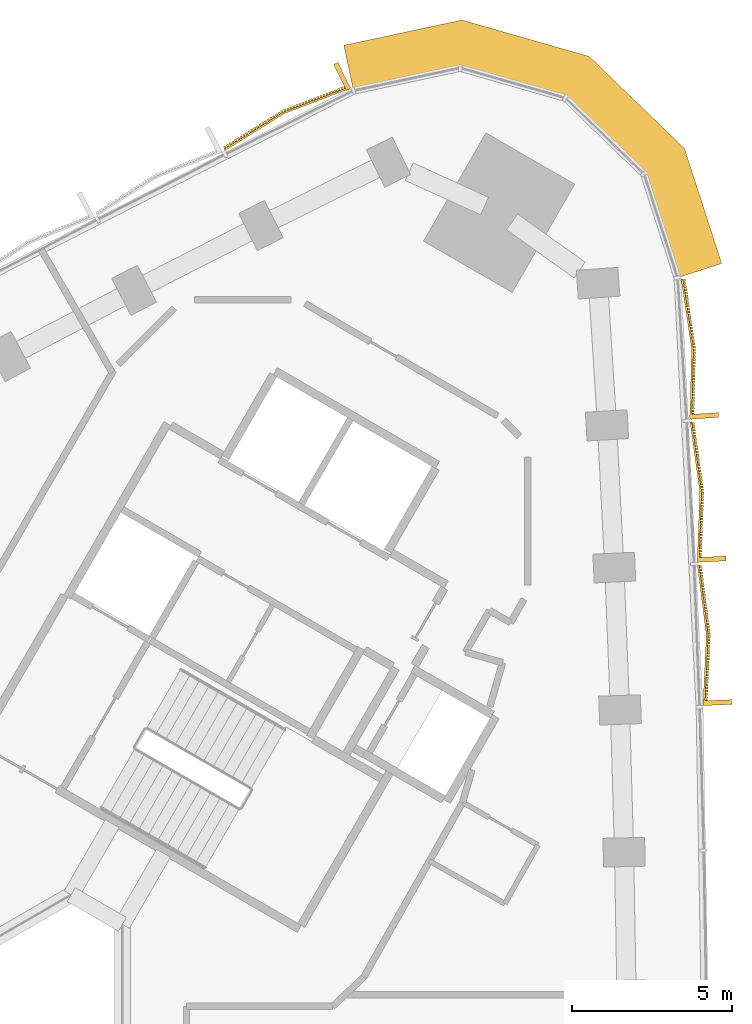
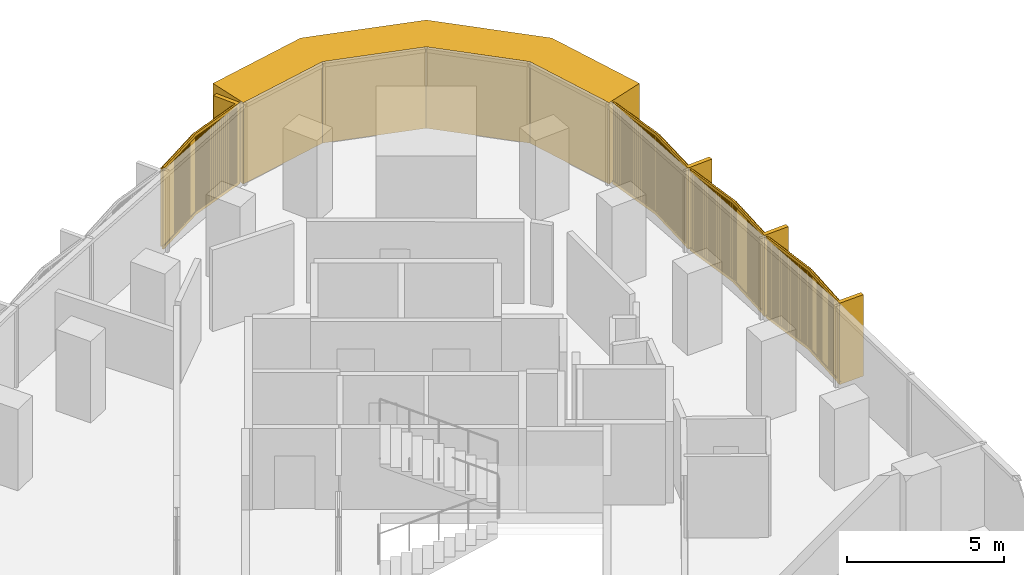
# One storey, part 15 of 15: 5 coverings.
"""IFC4 building model written with IfcOpenShell, lengths in metres."""

from ifc_helpers import new_model, si_unit, direction, frame, frame_2d, origin, place, context, subcontext, project, spatial, polyline, rectangle, outline, extrude, source, transform, mapped, material, layer, layer_set, type_object, element, save


model = new_model("IFC4")

# Units and contexts
model_context = context("Model", 3, precision=1e-05, world=origin(), true_north=direction((0.0, 1.0)))
body_context = subcontext(model_context, "Body", "Model", "MODEL_VIEW")
ifc_project = project(units=[si_unit("LENGTHUNIT", "METRE"), si_unit("AREAUNIT", "SQUARE_METRE"), si_unit("VOLUMEUNIT", "CUBIC_METRE"), si_unit("PLANEANGLEUNIT", "RADIAN"), si_unit("MASSUNIT", "GRAM", prefix="KILO")], contexts=[model_context])

# Site, building, storey
site_placement = place(None, origin())
site = spatial("IfcSite", under=ifc_project, at=site_placement, CompositionType="ELEMENT")
building_placement = place(site_placement, origin())
building = spatial("IfcBuilding", under=site, at=building_placement, Name="Tamra Quay Hotel Tower", CompositionType="ELEMENT")
storey_placement = place(building_placement, frame((0.0, 0.0, 108.199951171875)))
storey = spatial("IfcBuildingStorey", under=building, at=storey_placement, Name="L26", CompositionType="ELEMENT", Elevation=108.199951171875)

# Coverings
ifc_material_1 = material(Name="Precast concrete M60 terracotta-coloured", Category="masonry")
ifc_layer = layer(ifc_material_1, 1.449951171875)
ifc_layer_set = layer_set([ifc_layer], Name="CORNER PIER PANEL")
covering_type_1 = type_object("IfcCoveringType", Name="CORNER PIER PANEL", PredefinedType="CLADDING", material=ifc_layer_set)
covering_1_placement = place(storey_placement, origin())
element("IfcCovering", 1, at=covering_1_placement, inside=storey, type_object=covering_type_1, Name="Corner pier L26.east", PredefinedType="CLADDING", context=body_context, shape_type="SweptSolid", body=[
    extrude(outline(polyline([(22.226318359375, 26.81787109375), (23.60595703125, 27.26416015625), (22.44482421875, 30.853271484375), (19.471923828125, 33.7265625), (15.497314453125, 34.864501953125), (11.808349609375, 34.075439453125), (12.11181640625, 32.657470703125), (15.4462890625, 33.370849609375), (18.724609375, 32.43212890625), (21.1767578125, 30.062255859375), (22.226318359375, 26.81787109375)])), origin(), (0.0, 0.0, 1.0), 3.175048828125),
])
ifc_material_2 = material(Name="Terracotta baguette extruded", Category="masonry")
covering_type_2 = type_object("IfcCoveringType", Name="BAGUETTE SCREEN E-V H3175", PredefinedType="USERDEFINED", material=ifc_material_2)
shared_shape_1 = source(origin(), body_context, "Body", "SweptSolid", [
    extrude(rectangle(XDim=2.200927734375, YDim=0.06005859375, at=frame_2d((1.1005859375, 0.030029296875))), frame((-2.19775390625, -0.057861328125, -0.1201171875), z_axis=(0.0, 0.0, 1.0), x_axis=(0.996194698092, -0.087155742748, 0.0)), (0.0, 0.0, 1.0), 0.1201171875),
    extrude(rectangle(XDim=2.200927734375, YDim=0.06005859375, at=frame_2d((1.1005859375, 0.030029296875))), frame((-2.19775390625, -0.057861328125, -3.175048828125), z_axis=(0.0, 0.0, 1.0), x_axis=(0.996194698092, -0.087155742748, 0.0)), (0.0, 0.0, 1.0), 0.1201171875),
    extrude(rectangle(XDim=0.070068359375, YDim=0.10009765625, at=frame_2d((0.03515625, 0.050048828125))), frame((-2.177734375, -0.13232421875, -3.114990234375)), (0.0, 0.0, 1.0), 3.054931640625),
    extrude(rectangle(XDim=0.070068359375, YDim=0.10009765625, at=frame_2d((0.03515625, 0.050048828125))), frame((-2.078125, -0.14111328125, -3.114990234375)), (0.0, 0.0, 1.0), 3.054931640625),
    extrude(rectangle(XDim=0.070068359375, YDim=0.10009765625, at=frame_2d((0.03515625, 0.050048828125))), frame((-1.978271484375, -0.14990234375, -3.114990234375)), (0.0, 0.0, 1.0), 3.054931640625),
    extrude(rectangle(XDim=0.070068359375, YDim=0.10009765625, at=frame_2d((0.03515625, 0.050048828125))), frame((-1.878662109375, -0.158447265625, -3.114990234375)), (0.0, 0.0, 1.0), 3.054931640625),
    extrude(rectangle(XDim=0.070068359375, YDim=0.10009765625, at=frame_2d((0.03515625, 0.050048828125))), frame((-1.779052734375, -0.167236328125, -3.114990234375)), (0.0, 0.0, 1.0), 3.054931640625),
    extrude(rectangle(XDim=0.070068359375, YDim=0.10009765625, at=frame_2d((0.03515625, 0.050048828125))), frame((-1.679443359375, -0.176025390625, -3.114990234375)), (0.0, 0.0, 1.0), 3.054931640625),
    extrude(rectangle(XDim=0.070068359375, YDim=0.10009765625, at=frame_2d((0.03515625, 0.050048828125))), frame((-1.579833984375, -0.1845703125, -3.114990234375)), (0.0, 0.0, 1.0), 3.054931640625),
    extrude(rectangle(XDim=0.070068359375, YDim=0.10009765625, at=frame_2d((0.03515625, 0.050048828125))), frame((-1.47998046875, -0.193359375, -3.114990234375)), (0.0, 0.0, 1.0), 3.054931640625),
    extrude(rectangle(XDim=0.070068359375, YDim=0.10009765625, at=frame_2d((0.03515625, 0.050048828125))), frame((-1.38037109375, -0.2021484375, -3.114990234375)), (0.0, 0.0, 1.0), 3.054931640625),
    extrude(rectangle(XDim=0.070068359375, YDim=0.10009765625, at=frame_2d((0.03515625, 0.050048828125))), frame((-1.28076171875, -0.2109375, -3.114990234375)), (0.0, 0.0, 1.0), 3.054931640625),
    extrude(rectangle(XDim=0.070068359375, YDim=0.10009765625, at=frame_2d((0.03515625, 0.050048828125))), frame((-1.18115234375, -0.219482421875, -3.114990234375)), (0.0, 0.0, 1.0), 3.054931640625),
    extrude(rectangle(XDim=0.070068359375, YDim=0.10009765625, at=frame_2d((0.03515625, 0.050048828125))), frame((-1.081298828125, -0.228271484375, -3.114990234375)), (0.0, 0.0, 1.0), 3.054931640625),
    extrude(rectangle(XDim=0.070068359375, YDim=0.10009765625, at=frame_2d((0.03515625, 0.050048828125))), frame((-0.981689453125, -0.237060546875, -3.114990234375)), (0.0, 0.0, 1.0), 3.054931640625),
    extrude(rectangle(XDim=0.070068359375, YDim=0.10009765625, at=frame_2d((0.03515625, 0.050048828125))), frame((-0.882080078125, -0.24560546875, -3.114990234375)), (0.0, 0.0, 1.0), 3.054931640625),
    extrude(rectangle(XDim=0.070068359375, YDim=0.10009765625, at=frame_2d((0.03515625, 0.050048828125))), frame((-0.782470703125, -0.25439453125, -3.114990234375)), (0.0, 0.0, 1.0), 3.054931640625),
    extrude(rectangle(XDim=0.070068359375, YDim=0.10009765625, at=frame_2d((0.03515625, 0.050048828125))), frame((-0.682861328125, -0.26318359375, -3.114990234375)), (0.0, 0.0, 1.0), 3.054931640625),
    extrude(rectangle(XDim=0.070068359375, YDim=0.10009765625, at=frame_2d((0.03515625, 0.050048828125))), frame((-0.583251953125, -0.27197265625, -3.114990234375)), (0.0, 0.0, 1.0), 3.054931640625),
    extrude(rectangle(XDim=0.070068359375, YDim=0.10009765625, at=frame_2d((0.03515625, 0.050048828125))), frame((-0.4833984375, -0.280517578125, -3.114990234375)), (0.0, 0.0, 1.0), 3.054931640625),
    extrude(rectangle(XDim=0.070068359375, YDim=0.10009765625, at=frame_2d((0.03515625, 0.050048828125))), frame((-0.3837890625, -0.289306640625, -3.114990234375)), (0.0, 0.0, 1.0), 3.054931640625),
    extrude(rectangle(XDim=0.070068359375, YDim=0.10009765625, at=frame_2d((0.03515625, 0.050048828125))), frame((-0.2841796875, -0.298095703125, -3.114990234375)), (0.0, 0.0, 1.0), 3.054931640625),
    extrude(rectangle(XDim=0.070068359375, YDim=0.10009765625, at=frame_2d((0.03515625, 0.050048828125))), frame((-0.1845703125, -0.306640625, -3.114990234375)), (0.0, 0.0, 1.0), 3.054931640625),
    extrude(rectangle(XDim=0.070068359375, YDim=0.10009765625, at=frame_2d((0.03515625, 0.050048828125))), frame((-0.084716796875, -0.3154296875, -3.114990234375)), (0.0, 0.0, 1.0), 3.054931640625),
    extrude(rectangle(XDim=2.200927734375, YDim=0.06005859375, at=frame_2d((1.1005859375, 0.030029296875))), frame((0.005126953125, -0.24951171875, -0.1201171875), z_axis=(0.0, 0.0, 1.0), x_axis=(0.996194698092, 0.087155742748, 0.0)), (0.0, 0.0, 1.0), 0.1201171875),
    extrude(rectangle(XDim=2.200927734375, YDim=0.06005859375, at=frame_2d((1.1005859375, 0.030029296875))), frame((0.005126953125, -0.24951171875, -3.175048828125), z_axis=(0.0, 0.0, 1.0), x_axis=(0.996194698092, 0.087155742748, 0.0)), (0.0, 0.0, 1.0), 0.1201171875),
    extrude(rectangle(XDim=0.070068359375, YDim=0.10009765625, at=frame_2d((0.03515625, 0.050048828125))), frame((0.014892578125, -0.3154296875, -3.114990234375)), (0.0, 0.0, 1.0), 3.054931640625),
    extrude(rectangle(XDim=0.070068359375, YDim=0.10009765625, at=frame_2d((0.03515625, 0.050048828125))), frame((0.114501953125, -0.306640625, -3.114990234375)), (0.0, 0.0, 1.0), 3.054931640625),
    extrude(rectangle(XDim=0.070068359375, YDim=0.10009765625, at=frame_2d((0.03515625, 0.050048828125))), frame((0.214111328125, -0.298095703125, -3.114990234375)), (0.0, 0.0, 1.0), 3.054931640625),
    extrude(rectangle(XDim=0.070068359375, YDim=0.10009765625, at=frame_2d((0.03515625, 0.050048828125))), frame((0.313720703125, -0.289306640625, -3.114990234375)), (0.0, 0.0, 1.0), 3.054931640625),
    extrude(rectangle(XDim=0.070068359375, YDim=0.10009765625, at=frame_2d((0.03515625, 0.050048828125))), frame((0.41357421875, -0.280517578125, -3.114990234375)), (0.0, 0.0, 1.0), 3.054931640625),
    extrude(rectangle(XDim=0.070068359375, YDim=0.10009765625, at=frame_2d((0.03515625, 0.050048828125))), frame((0.51318359375, -0.27197265625, -3.114990234375)), (0.0, 0.0, 1.0), 3.054931640625),
    extrude(rectangle(XDim=0.070068359375, YDim=0.10009765625, at=frame_2d((0.03515625, 0.050048828125))), frame((0.61279296875, -0.26318359375, -3.114990234375)), (0.0, 0.0, 1.0), 3.054931640625),
    extrude(rectangle(XDim=0.070068359375, YDim=0.10009765625, at=frame_2d((0.03515625, 0.050048828125))), frame((0.71240234375, -0.25439453125, -3.114990234375)), (0.0, 0.0, 1.0), 3.054931640625),
    extrude(rectangle(XDim=0.070068359375, YDim=0.10009765625, at=frame_2d((0.03515625, 0.050048828125))), frame((0.81201171875, -0.24560546875, -3.114990234375)), (0.0, 0.0, 1.0), 3.054931640625),
    extrude(rectangle(XDim=0.070068359375, YDim=0.10009765625, at=frame_2d((0.03515625, 0.050048828125))), frame((0.911865234375, -0.237060546875, -3.114990234375)), (0.0, 0.0, 1.0), 3.054931640625),
    extrude(rectangle(XDim=0.070068359375, YDim=0.10009765625, at=frame_2d((0.03515625, 0.050048828125))), frame((1.011474609375, -0.228271484375, -3.114990234375)), (0.0, 0.0, 1.0), 3.054931640625),
    extrude(rectangle(XDim=0.070068359375, YDim=0.10009765625, at=frame_2d((0.03515625, 0.050048828125))), frame((1.111083984375, -0.219482421875, -3.114990234375)), (0.0, 0.0, 1.0), 3.054931640625),
    extrude(rectangle(XDim=0.070068359375, YDim=0.10009765625, at=frame_2d((0.03515625, 0.050048828125))), frame((1.210693359375, -0.2109375, -3.114990234375)), (0.0, 0.0, 1.0), 3.054931640625),
    extrude(rectangle(XDim=0.070068359375, YDim=0.10009765625, at=frame_2d((0.03515625, 0.050048828125))), frame((1.310302734375, -0.2021484375, -3.114990234375)), (0.0, 0.0, 1.0), 3.054931640625),
    extrude(rectangle(XDim=0.070068359375, YDim=0.10009765625, at=frame_2d((0.03515625, 0.050048828125))), frame((1.41015625, -0.193359375, -3.114990234375)), (0.0, 0.0, 1.0), 3.054931640625),
    extrude(rectangle(XDim=0.070068359375, YDim=0.10009765625, at=frame_2d((0.03515625, 0.050048828125))), frame((1.509765625, -0.1845703125, -3.114990234375)), (0.0, 0.0, 1.0), 3.054931640625),
    extrude(rectangle(XDim=0.070068359375, YDim=0.10009765625, at=frame_2d((0.03515625, 0.050048828125))), frame((1.609375, -0.176025390625, -3.114990234375)), (0.0, 0.0, 1.0), 3.054931640625),
    extrude(rectangle(XDim=0.070068359375, YDim=0.10009765625, at=frame_2d((0.03515625, 0.050048828125))), frame((1.708984375, -0.167236328125, -3.114990234375)), (0.0, 0.0, 1.0), 3.054931640625),
    extrude(rectangle(XDim=0.070068359375, YDim=0.10009765625, at=frame_2d((0.03515625, 0.050048828125))), frame((1.80859375, -0.158447265625, -3.114990234375)), (0.0, 0.0, 1.0), 3.054931640625),
    extrude(rectangle(XDim=0.070068359375, YDim=0.10009765625, at=frame_2d((0.03515625, 0.050048828125))), frame((1.908447265625, -0.14990234375, -3.114990234375)), (0.0, 0.0, 1.0), 3.054931640625),
    extrude(rectangle(XDim=0.070068359375, YDim=0.10009765625, at=frame_2d((0.03515625, 0.050048828125))), frame((2.008056640625, -0.14111328125, -3.114990234375)), (0.0, 0.0, 1.0), 3.054931640625),
    extrude(rectangle(XDim=0.070068359375, YDim=0.10009765625, at=frame_2d((0.03515625, 0.050048828125))), frame((2.107666015625, -0.13232421875, -3.114990234375)), (0.0, 0.0, 1.0), 3.054931640625),
    extrude(rectangle(XDim=0.14990234375, YDim=0.902099609375, at=frame_2d((0.074951171875, 0.451171875))), frame((-2.1923828125, -0.89990234375, -3.175048828125)), (0.0, 0.0, 1.0), 3.175048828125),
])
for number, where, z_axis, x_axis, name in (
    (2, (22.933349609375, 15.65625, 3.175048828125), (0.0, 0.0, 1.0), (-0.039943885581, 0.99920192454, 0.0), "Baguette screen L26.E.f09"),
    (3, (22.729248046875, 20.1259765625, 3.175048828125), (0.0, 0.0, 1.0), (-0.051320736558, 0.998682222731, 0.0), "Baguette screen L26.E.f10"),
    (4, (22.474365234375, 24.5927734375, 3.175048828125), (0.0, 0.0, 1.0), (-0.062669917068, 0.998034308776, 0.0), "Baguette screen L26.E.f11"),
):
    element("IfcCovering", number, at=place(storey_placement, frame(where, z_axis=z_axis, x_axis=x_axis)), inside=storey, type_object=covering_type_2, Name=name, ObjectType="BAGUETTE SCREEN", PredefinedType="USERDEFINED", context=body_context, shape_type="MappedRepresentation", body=[
        mapped(shared_shape_1, transform((0.0, 0.0, 0.0), scale=1.0)),
    ])
covering_type_3 = type_object("IfcCoveringType", Name="BAGUETTE SCREEN NW-V H3175", PredefinedType="USERDEFINED", material=ifc_material_2)
shared_shape_2 = source(origin(), body_context, "Body", "SweptSolid", [
    extrude(rectangle(XDim=2.20263671875, YDim=0.06005859375, at=frame_2d((1.101318359375, 0.030029296875))), frame((-2.1982421875, -0.0576171875, -0.1201171875), z_axis=(0.0, 0.0, 1.0), x_axis=(0.995396198367, -0.09584575252, 0.0)), (0.0, 0.0, 1.0), 0.1201171875),
    extrude(rectangle(XDim=2.20263671875, YDim=0.06005859375, at=frame_2d((1.101318359375, 0.030029296875))), frame((-2.1982421875, -0.0576171875, -3.175048828125), z_axis=(0.0, 0.0, 1.0), x_axis=(0.995396198367, -0.09584575252, 0.0)), (0.0, 0.0, 1.0), 0.1201171875),
    extrude(rectangle(XDim=0.070068359375, YDim=0.10009765625, at=frame_2d((0.03515625, 0.050048828125))), frame((-2.177734375, -0.1328125, -3.114990234375)), (0.0, 0.0, 1.0), 3.054931640625),
    extrude(rectangle(XDim=0.070068359375, YDim=0.10009765625, at=frame_2d((0.03515625, 0.050048828125))), frame((-2.078125, -0.142333984375, -3.114990234375)), (0.0, 0.0, 1.0), 3.054931640625),
    extrude(rectangle(XDim=0.070068359375, YDim=0.10009765625, at=frame_2d((0.03515625, 0.050048828125))), frame((-1.978271484375, -0.152099609375, -3.114990234375)), (0.0, 0.0, 1.0), 3.054931640625),
    extrude(rectangle(XDim=0.070068359375, YDim=0.10009765625, at=frame_2d((0.03515625, 0.050048828125))), frame((-1.878662109375, -0.16162109375, -3.114990234375)), (0.0, 0.0, 1.0), 3.054931640625),
    extrude(rectangle(XDim=0.070068359375, YDim=0.10009765625, at=frame_2d((0.03515625, 0.050048828125))), frame((-1.779052734375, -0.171142578125, -3.114990234375)), (0.0, 0.0, 1.0), 3.054931640625),
    extrude(rectangle(XDim=0.070068359375, YDim=0.10009765625, at=frame_2d((0.03515625, 0.050048828125))), frame((-1.679443359375, -0.1806640625, -3.114990234375)), (0.0, 0.0, 1.0), 3.054931640625),
    extrude(rectangle(XDim=0.070068359375, YDim=0.10009765625, at=frame_2d((0.03515625, 0.050048828125))), frame((-1.579833984375, -0.1904296875, -3.114990234375)), (0.0, 0.0, 1.0), 3.054931640625),
    extrude(rectangle(XDim=0.070068359375, YDim=0.10009765625, at=frame_2d((0.03515625, 0.050048828125))), frame((-1.47998046875, -0.199951171875, -3.114990234375)), (0.0, 0.0, 1.0), 3.054931640625),
    extrude(rectangle(XDim=0.070068359375, YDim=0.10009765625, at=frame_2d((0.03515625, 0.050048828125))), frame((-1.38037109375, -0.20947265625, -3.114990234375)), (0.0, 0.0, 1.0), 3.054931640625),
    extrude(rectangle(XDim=0.070068359375, YDim=0.10009765625, at=frame_2d((0.03515625, 0.050048828125))), frame((-1.28076171875, -0.21923828125, -3.114990234375)), (0.0, 0.0, 1.0), 3.054931640625),
    extrude(rectangle(XDim=0.070068359375, YDim=0.10009765625, at=frame_2d((0.03515625, 0.050048828125))), frame((-1.18115234375, -0.228759765625, -3.114990234375)), (0.0, 0.0, 1.0), 3.054931640625),
    extrude(rectangle(XDim=0.070068359375, YDim=0.10009765625, at=frame_2d((0.03515625, 0.050048828125))), frame((-1.081298828125, -0.23828125, -3.114990234375)), (0.0, 0.0, 1.0), 3.054931640625),
    extrude(rectangle(XDim=0.070068359375, YDim=0.10009765625, at=frame_2d((0.03515625, 0.050048828125))), frame((-0.981689453125, -0.248046875, -3.114990234375)), (0.0, 0.0, 1.0), 3.054931640625),
    extrude(rectangle(XDim=0.070068359375, YDim=0.10009765625, at=frame_2d((0.03515625, 0.050048828125))), frame((-0.882080078125, -0.257568359375, -3.114990234375)), (0.0, 0.0, 1.0), 3.054931640625),
    extrude(rectangle(XDim=0.070068359375, YDim=0.10009765625, at=frame_2d((0.03515625, 0.050048828125))), frame((-0.782470703125, -0.26708984375, -3.114990234375)), (0.0, 0.0, 1.0), 3.054931640625),
    extrude(rectangle(XDim=0.070068359375, YDim=0.10009765625, at=frame_2d((0.03515625, 0.050048828125))), frame((-0.682861328125, -0.27685546875, -3.114990234375)), (0.0, 0.0, 1.0), 3.054931640625),
    extrude(rectangle(XDim=0.070068359375, YDim=0.10009765625, at=frame_2d((0.03515625, 0.050048828125))), frame((-0.583251953125, -0.286376953125, -3.114990234375)), (0.0, 0.0, 1.0), 3.054931640625),
    extrude(rectangle(XDim=0.070068359375, YDim=0.10009765625, at=frame_2d((0.03515625, 0.050048828125))), frame((-0.4833984375, -0.2958984375, -3.114990234375)), (0.0, 0.0, 1.0), 3.054931640625),
    extrude(rectangle(XDim=0.070068359375, YDim=0.10009765625, at=frame_2d((0.03515625, 0.050048828125))), frame((-0.3837890625, -0.305419921875, -3.114990234375)), (0.0, 0.0, 1.0), 3.054931640625),
    extrude(rectangle(XDim=0.070068359375, YDim=0.10009765625, at=frame_2d((0.03515625, 0.050048828125))), frame((-0.2841796875, -0.315185546875, -3.114990234375)), (0.0, 0.0, 1.0), 3.054931640625),
    extrude(rectangle(XDim=0.070068359375, YDim=0.10009765625, at=frame_2d((0.03515625, 0.050048828125))), frame((-0.1845703125, -0.32470703125, -3.114990234375)), (0.0, 0.0, 1.0), 3.054931640625),
    extrude(rectangle(XDim=0.070068359375, YDim=0.10009765625, at=frame_2d((0.03515625, 0.050048828125))), frame((-0.084716796875, -0.334228515625, -3.114990234375)), (0.0, 0.0, 1.0), 3.054931640625),
    extrude(rectangle(XDim=2.20263671875, YDim=0.06005859375, at=frame_2d((1.101318359375, 0.030029296875))), frame((0.005859375, -0.268798828125, -0.1201171875), z_axis=(0.0, 0.0, 1.0), x_axis=(0.995396198367, 0.09584575252, 0.0)), (0.0, 0.0, 1.0), 0.1201171875),
    extrude(rectangle(XDim=2.20263671875, YDim=0.06005859375, at=frame_2d((1.101318359375, 0.030029296875))), frame((0.005859375, -0.268798828125, -3.175048828125), z_axis=(0.0, 0.0, 1.0), x_axis=(0.995396198367, 0.09584575252, 0.0)), (0.0, 0.0, 1.0), 0.1201171875),
    extrude(rectangle(XDim=0.070068359375, YDim=0.10009765625, at=frame_2d((0.03515625, 0.050048828125))), frame((0.014892578125, -0.334228515625, -3.114990234375)), (0.0, 0.0, 1.0), 3.054931640625),
    extrude(rectangle(XDim=0.070068359375, YDim=0.10009765625, at=frame_2d((0.03515625, 0.050048828125))), frame((0.114501953125, -0.32470703125, -3.114990234375)), (0.0, 0.0, 1.0), 3.054931640625),
    extrude(rectangle(XDim=0.070068359375, YDim=0.10009765625, at=frame_2d((0.03515625, 0.050048828125))), frame((0.214111328125, -0.315185546875, -3.114990234375)), (0.0, 0.0, 1.0), 3.054931640625),
    extrude(rectangle(XDim=0.070068359375, YDim=0.10009765625, at=frame_2d((0.03515625, 0.050048828125))), frame((0.313720703125, -0.305419921875, -3.114990234375)), (0.0, 0.0, 1.0), 3.054931640625),
    extrude(rectangle(XDim=0.070068359375, YDim=0.10009765625, at=frame_2d((0.03515625, 0.050048828125))), frame((0.41357421875, -0.2958984375, -3.114990234375)), (0.0, 0.0, 1.0), 3.054931640625),
    extrude(rectangle(XDim=0.070068359375, YDim=0.10009765625, at=frame_2d((0.03515625, 0.050048828125))), frame((0.51318359375, -0.286376953125, -3.114990234375)), (0.0, 0.0, 1.0), 3.054931640625),
    extrude(rectangle(XDim=0.070068359375, YDim=0.10009765625, at=frame_2d((0.03515625, 0.050048828125))), frame((0.61279296875, -0.27685546875, -3.114990234375)), (0.0, 0.0, 1.0), 3.054931640625),
    extrude(rectangle(XDim=0.070068359375, YDim=0.10009765625, at=frame_2d((0.03515625, 0.050048828125))), frame((0.71240234375, -0.26708984375, -3.114990234375)), (0.0, 0.0, 1.0), 3.054931640625),
    extrude(rectangle(XDim=0.070068359375, YDim=0.10009765625, at=frame_2d((0.03515625, 0.050048828125))), frame((0.81201171875, -0.257568359375, -3.114990234375)), (0.0, 0.0, 1.0), 3.054931640625),
    extrude(rectangle(XDim=0.070068359375, YDim=0.10009765625, at=frame_2d((0.03515625, 0.050048828125))), frame((0.911865234375, -0.248046875, -3.114990234375)), (0.0, 0.0, 1.0), 3.054931640625),
    extrude(rectangle(XDim=0.070068359375, YDim=0.10009765625, at=frame_2d((0.03515625, 0.050048828125))), frame((1.011474609375, -0.23828125, -3.114990234375)), (0.0, 0.0, 1.0), 3.054931640625),
    extrude(rectangle(XDim=0.070068359375, YDim=0.10009765625, at=frame_2d((0.03515625, 0.050048828125))), frame((1.111083984375, -0.228759765625, -3.114990234375)), (0.0, 0.0, 1.0), 3.054931640625),
    extrude(rectangle(XDim=0.070068359375, YDim=0.10009765625, at=frame_2d((0.03515625, 0.050048828125))), frame((1.210693359375, -0.21923828125, -3.114990234375)), (0.0, 0.0, 1.0), 3.054931640625),
    extrude(rectangle(XDim=0.070068359375, YDim=0.10009765625, at=frame_2d((0.03515625, 0.050048828125))), frame((1.310302734375, -0.20947265625, -3.114990234375)), (0.0, 0.0, 1.0), 3.054931640625),
    extrude(rectangle(XDim=0.070068359375, YDim=0.10009765625, at=frame_2d((0.03515625, 0.050048828125))), frame((1.41015625, -0.199951171875, -3.114990234375)), (0.0, 0.0, 1.0), 3.054931640625),
    extrude(rectangle(XDim=0.070068359375, YDim=0.10009765625, at=frame_2d((0.03515625, 0.050048828125))), frame((1.509765625, -0.1904296875, -3.114990234375)), (0.0, 0.0, 1.0), 3.054931640625),
    extrude(rectangle(XDim=0.070068359375, YDim=0.10009765625, at=frame_2d((0.03515625, 0.050048828125))), frame((1.609375, -0.1806640625, -3.114990234375)), (0.0, 0.0, 1.0), 3.054931640625),
    extrude(rectangle(XDim=0.070068359375, YDim=0.10009765625, at=frame_2d((0.03515625, 0.050048828125))), frame((1.708984375, -0.171142578125, -3.114990234375)), (0.0, 0.0, 1.0), 3.054931640625),
    extrude(rectangle(XDim=0.070068359375, YDim=0.10009765625, at=frame_2d((0.03515625, 0.050048828125))), frame((1.80859375, -0.16162109375, -3.114990234375)), (0.0, 0.0, 1.0), 3.054931640625),
    extrude(rectangle(XDim=0.070068359375, YDim=0.10009765625, at=frame_2d((0.03515625, 0.050048828125))), frame((1.908447265625, -0.152099609375, -3.114990234375)), (0.0, 0.0, 1.0), 3.054931640625),
    extrude(rectangle(XDim=0.070068359375, YDim=0.10009765625, at=frame_2d((0.03515625, 0.050048828125))), frame((2.008056640625, -0.142333984375, -3.114990234375)), (0.0, 0.0, 1.0), 3.054931640625),
    extrude(rectangle(XDim=0.070068359375, YDim=0.10009765625, at=frame_2d((0.03515625, 0.050048828125))), frame((2.107666015625, -0.1328125, -3.114990234375)), (0.0, 0.0, 1.0), 3.054931640625),
    extrude(rectangle(XDim=0.14990234375, YDim=0.902099609375, at=frame_2d((0.074951171875, 0.451171875))), frame((-2.1923828125, -0.89990234375, -3.175048828125)), (0.0, 0.0, 1.0), 3.175048828125),
])
covering_2_placement = place(storey_placement, frame((10.060791015625, 31.759765625, 3.175048828125), z_axis=(0.0, 0.0, 1.0), x_axis=(-0.895658023783, -0.444743414154, 0.0)))
element("IfcCovering", 5, at=covering_2_placement, inside=storey, type_object=covering_type_3, Name="Baguette screen L26.NW.f00", ObjectType="BAGUETTE SCREEN", PredefinedType="USERDEFINED", context=body_context, shape_type="MappedRepresentation", body=[
    mapped(shared_shape_2, transform((0.0, 0.0, 0.0), scale=1.0)),
])

save(model, "model.ifc")
